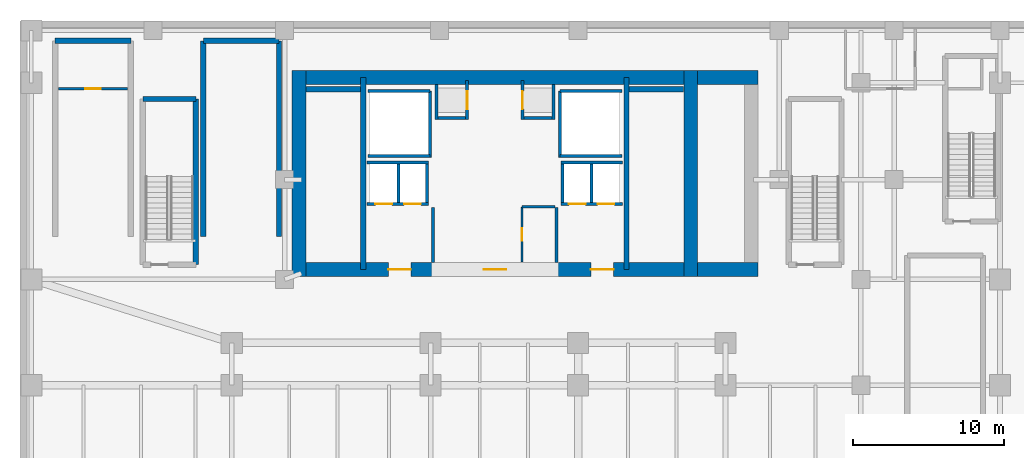
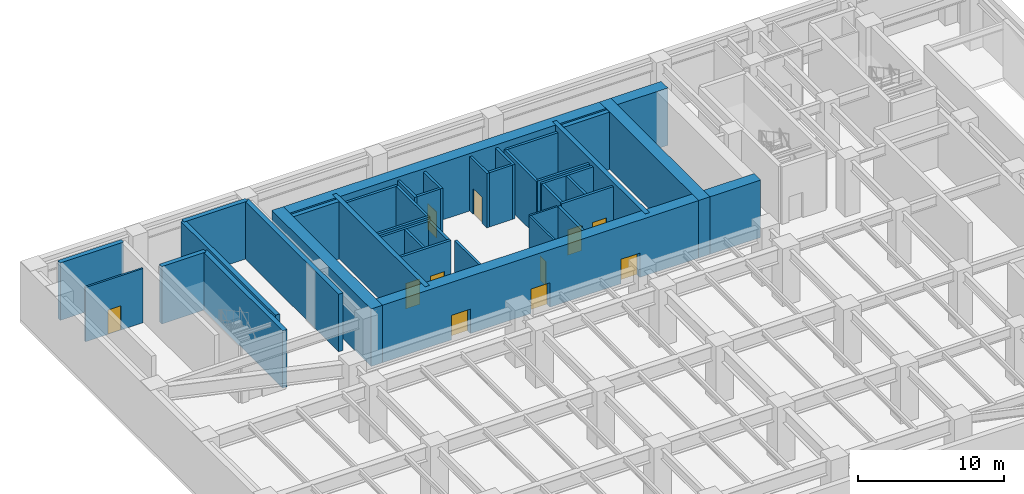
# One storey, part 4 of 9: 41 walls, 11 doors, 11 openings.
"""IFC4 building model written with IfcOpenShell, lengths in metres."""

from ifc_helpers import new_model, si_unit, direction, frame, frame_2d, origin, place, context, subcontext, project, spatial, rectangle, extrude, source, transform, mapped, material, layer, layer_set, type_object, type_shapes, element, fill, save


model = new_model("IFC4")

# Units and contexts
model_context = context("Model", 3, precision=1e-05, world=origin(), true_north=direction((0.0, 1.0)))
body_context = subcontext(model_context, "Body", "Model", "MODEL_VIEW")
ifc_project = project(units=[si_unit("LENGTHUNIT", "METRE"), si_unit("AREAUNIT", "SQUARE_METRE"), si_unit("VOLUMEUNIT", "CUBIC_METRE"), si_unit("PLANEANGLEUNIT", "RADIAN"), si_unit("MASSUNIT", "GRAM", prefix="KILO")], contexts=[model_context])

# Site, building, storey
site_placement = place(None, origin())
site = spatial("IfcSite", under=ifc_project, at=site_placement, CompositionType="ELEMENT")
building_placement = place(site_placement, origin())
building = spatial("IfcBuilding", under=site, at=building_placement, Name="Tolvann Quenvar Hotel", CompositionType="ELEMENT")
storey_placement = place(building_placement, frame((0.0, 0.0, -4.800048828125)))
storey = spatial("IfcBuildingStorey", under=building, at=storey_placement, Name="B01", CompositionType="ELEMENT", Elevation=-4.800048828125)

# Wall, openings, doors
ifc_material_1 = material(Name="Concrete S80 (80 MPa)", Category="concrete")
ifc_layer_1 = layer(ifc_material_1, 0.89990234375)
ifc_layer_set_1 = layer_set([ifc_layer_1], Name="Concrete S80 (80 MPa)")
wall_type_1 = type_object("IfcWallType", Name="WALL_CORE_900", PredefinedType="SHEAR", material=ifc_layer_set_1)
wall_1_placement = place(storey_placement, frame((9.60009765625, 32.050048828125, 0.0), z_axis=(0.0, 0.0, 1.0), x_axis=(1.0, 0.0, 0.0)))
wall_1 = element("IfcWall", 1, at=wall_1_placement, inside=storey, type_object=wall_type_1, Name="Rear Core S Shear Wall (B01)", PredefinedType="SHEAR", context=body_context, shape_type="SweptSolid", body=[
    extrude(rectangle(XDim=26.7998046875, YDim=0.89990234375, at=frame_2d((13.39990234375, 0.0))), origin(), (0.0, 0.0, 1.0), 4.800048828125),
])
opening_1_placement = place(wall_1_placement, frame((7.85009765625, 0.0, 0.0), z_axis=(0.0, 0.0, 1.0), x_axis=(-1.0, 0.0, 0.0)))
opening_1 = element("IfcOpeningElement", 2, at=opening_1_placement, cuts=wall_1, Name="Opening FD-60D", PredefinedType="OPENING", context=body_context, shape_type="SweptSolid", body=[
    extrude(rectangle(XDim=1.5, YDim=2.0400390625, at=frame_2d((0.75, 1.02001953125))), frame((0.0, 0.4599609375, 0.0), z_axis=(0.0, -1.0, 0.0), x_axis=(1.0, 0.0, 0.0)), (0.0, 0.0, 1.0), 0.919921875),
])
opening_2_placement = place(wall_1_placement, frame((14.14990234375, 0.0, 0.0), z_axis=(0.0, 0.0, 1.0), x_axis=(-1.0, 0.0, 0.0)))
opening_2 = element("IfcOpeningElement", 3, at=opening_2_placement, cuts=wall_1, Name="Opening FD-60D", PredefinedType="OPENING", context=body_context, shape_type="SweptSolid", body=[
    extrude(rectangle(XDim=1.5, YDim=2.0400390625, at=frame_2d((0.75, 1.02001953125))), frame((0.0, 0.4599609375, 0.0), z_axis=(0.0, -1.0, 0.0), x_axis=(1.0, 0.0, 0.0)), (0.0, 0.0, 1.0), 0.919921875),
])
opening_3_placement = place(wall_1_placement, frame((21.25, 0.0, 0.0), z_axis=(0.0, 0.0, 1.0), x_axis=(-1.0, 0.0, 0.0)))
opening_3 = element("IfcOpeningElement", 4, at=opening_3_placement, cuts=wall_1, Name="Opening FD-60D", PredefinedType="OPENING", context=body_context, shape_type="SweptSolid", body=[
    extrude(rectangle(XDim=1.5, YDim=2.0400390625, at=frame_2d((0.75, 1.02001953125))), frame((0.0, 0.4599609375, 0.0), z_axis=(0.0, -1.0, 0.0), x_axis=(1.0, 0.0, 0.0)), (0.0, 0.0, 1.0), 0.919921875),
])
ifc_material_2 = material(Name="Solid-core American oak acoustic fire door leaf in steel frame", Category="steel")
door_type_1 = type_object("IfcDoorType", Name="DOOR_FIRE_LOBBY_1500", OperationType="NOTDEFINED", PredefinedType="DOOR", material=ifc_material_2)
shared_shape_1 = source(origin(), body_context, "Body", "SweptSolid", [
    extrude(rectangle(XDim=1.5, YDim=2.0400390625, at=frame_2d((0.75, 1.02001953125))), frame((0.0, 0.02490234375, 0.0), z_axis=(0.0, -1.0, 0.0), x_axis=(1.0, 0.0, 0.0)), (0.0, 0.0, 1.0), 0.050048828125),
])
type_shapes(door_type_1, [shared_shape_1])
door_1_placement = place(opening_1_placement, origin())
door_1 = element("IfcDoor", 5, at=door_1_placement, inside=storey, type_object=door_type_1, Name="Core Lobby Fire Door FFW (B01)", OperationType="DOUBLE_DOOR_SINGLE_SWING", OverallHeight=2.0400390625, OverallWidth=1.5, PredefinedType="DOOR", context=body_context, shape_type="MappedRepresentation", body=[
    mapped(shared_shape_1, transform((0.0, 0.0, 0.0), x_axis=(1.0, 0.0, 0.0), y_axis=(0.0, 1.0, 0.0), z_axis=(0.0, 0.0, 1.0), scale=1.0)),
])
fill(opening_1, door_1)
door_2_placement = place(opening_2_placement, origin())
door_2 = element("IfcDoor", 6, at=door_2_placement, inside=storey, type_object=door_type_1, Name="Core Lobby Fire Door CLOB (B01)", OperationType="DOUBLE_DOOR_SINGLE_SWING", OverallHeight=2.0400390625, OverallWidth=1.5, PredefinedType="DOOR", context=body_context, shape_type="MappedRepresentation", body=[
    mapped(shared_shape_1, transform((0.0, 0.0, 0.0), x_axis=(1.0, 0.0, 0.0), y_axis=(0.0, 1.0, 0.0), z_axis=(0.0, 0.0, 1.0), scale=1.0)),
])
fill(opening_2, door_2)
door_3_placement = place(opening_3_placement, origin())
door_3 = element("IfcDoor", 7, at=door_3_placement, inside=storey, type_object=door_type_1, Name="Core Lobby Fire Door FFE (B01)", OperationType="DOUBLE_DOOR_SINGLE_SWING", OverallHeight=2.0400390625, OverallWidth=1.5, PredefinedType="DOOR", context=body_context, shape_type="MappedRepresentation", body=[
    mapped(shared_shape_1, transform((0.0, 0.0, 0.0), x_axis=(1.0, 0.0, 0.0), y_axis=(0.0, 1.0, 0.0), z_axis=(0.0, 0.0, 1.0), scale=1.0)),
])
fill(opening_3, door_3)

# Walls
wall_2_placement = place(storey_placement, frame((9.60009765625, 44.75, 0.0), z_axis=(0.0, 0.0, 1.0), x_axis=(1.0, 0.0, 0.0)))
element("IfcWall", 8, at=wall_2_placement, inside=storey, type_object=wall_type_1, Name="Rear Core N Shear Wall (B01)", PredefinedType="SHEAR", context=body_context, shape_type="SweptSolid", body=[
    extrude(rectangle(XDim=26.7998046875, YDim=0.89990234375, at=frame_2d((13.39990234375, 0.0))), origin(), (0.0, 0.0, 1.0), 4.800048828125),
])
for number, where, z_axis, x_axis, name in (
    (9, (10.050048828125, 31.60009765625, 0.0), (0.0, 0.0, 1.0), (0.0, 1.0, 0.0), "Rear Core W Shear Wall (B01)"),
    (10, (35.949951171875, 31.60009765625, 0.0), (0.0, 0.0, 1.0), (0.0, 1.0, 0.0), "Rear Core E Shear Wall (B01)"),
):
    element("IfcWall", number, at=place(storey_placement, frame(where, z_axis=z_axis, x_axis=x_axis)), inside=storey, type_object=wall_type_1, Name=name, PredefinedType="SHEAR", context=body_context, shape_type="SweptSolid", body=[
        extrude(rectangle(XDim=13.599853515625, YDim=0.89990234375, at=frame_2d((6.7998046875, 0.0))), origin(), (0.0, 0.0, 1.0), 4.800048828125),
    ])
for number, where, z_axis, x_axis, name in (
    (11, (36.39990234375, 32.050048828125, 0.0), (0.0, 0.0, 1.0), (1.0, 0.0, 0.0), "Core East Annex Shear Wall ANN-S (B01)"),
    (12, (36.39990234375, 44.75, 0.0), (0.0, 0.0, 1.0), (1.0, 0.0, 0.0), "Core East Annex Shear Wall ANN-N (B01)"),
):
    element("IfcWall", number, at=place(storey_placement, frame(where, z_axis=z_axis, x_axis=x_axis)), inside=storey, type_object=wall_type_1, Name=name, PredefinedType="SHEAR", context=body_context, shape_type="SweptSolid", body=[
        extrude(rectangle(XDim=4.0, YDim=0.89990234375, at=frame_2d((2.0, 0.0))), origin(), (0.0, 0.0, 1.0), 4.800048828125),
    ])
ifc_material_3 = material(Name="Concrete S65 (65 MPa)", Category="concrete")
ifc_layer_2 = layer(ifc_material_3, 0.35009765625)
ifc_layer_set_2 = layer_set([ifc_layer_2], Name="Concrete S65 (65 MPa)")
wall_type_2 = type_object("IfcWallType", Name="WALL_CORE_INT_350", PredefinedType="SHEAR", material=ifc_layer_set_2)
for number, where, z_axis, x_axis, name in (
    (13, (14.300048828125, 32.050048828125, 0.0), (0.0, 0.0, 1.0), (0.0, 1.0, 0.0), "Core Internal Web Shear Wall WEB-W (B01)"),
    (14, (31.699951171875, 32.050048828125, 0.0), (0.0, 0.0, 1.0), (0.0, 1.0, 0.0), "Core Internal Web Shear Wall WEB-E (B01)"),
):
    element("IfcWall", number, at=place(storey_placement, frame(where, z_axis=z_axis, x_axis=x_axis)), inside=storey, type_object=wall_type_2, Name=name, PredefinedType="SHEAR", context=body_context, shape_type="SweptSolid", body=[
        extrude(rectangle(XDim=12.699951171875, YDim=0.35009765625, at=frame_2d((6.35009765625, 0.0))), origin(), (0.0, 0.0, 1.0), 4.800048828125),
    ])
for number, where, z_axis, x_axis, name in (
    (15, (10.52001953125, 43.97509765625, 0.0), (0.0, 0.0, 1.0), (1.0, 0.0, 0.0), "Core Stair North Closing Shear Wall STC1-N (B01)"),
    (16, (31.8798828125, 43.97509765625, 0.0), (0.0, 0.0, 1.0), (1.0, 0.0, 0.0), "Core Stair North Closing Shear Wall STC2-N (B01)"),
):
    element("IfcWall", number, at=place(storey_placement, frame(where, z_axis=z_axis, x_axis=x_axis)), inside=storey, type_object=wall_type_2, Name=name, PredefinedType="SHEAR", context=body_context, shape_type="SweptSolid", body=[
        extrude(rectangle(XDim=3.60009765625, YDim=0.35009765625, at=frame_2d((1.800048828125, 0.0))), origin(), (0.0, 0.0, 1.0), 4.800048828125),
    ])
wall_3_placement = place(storey_placement, frame((3.22509765625, 32.375, 0.0), z_axis=(0.0, 0.0, 1.0), x_axis=(0.0, 1.0, 0.0)))
element("IfcWall", 17, at=wall_3_placement, inside=storey, type_object=wall_type_2, Name="Stairwell ST-B1 Structural Shaft Wall E (B01)", PredefinedType="SHEAR", context=body_context, shape_type="SweptSolid", body=[
    extrude(rectangle(XDim=10.949951171875, YDim=0.35009765625, at=frame_2d((5.47509765625, 0.0))), origin(), (0.0, 0.0, 1.0), 4.800048828125),
])
wall_4_placement = place(storey_placement, frame((3.22509765625, 43.324951171875, 0.0), z_axis=(0.0, 0.0, 1.0), x_axis=(-1.0, 0.0, 0.0)))
element("IfcWall", 18, at=wall_4_placement, inside=storey, type_object=wall_type_2, Name="Stairwell ST-B1 Structural Shaft Wall N (B01)", PredefinedType="SHEAR", context=body_context, shape_type="SweptSolid", body=[
    extrude(rectangle(XDim=3.5, YDim=0.35009765625, at=frame_2d((1.75, 0.0))), origin(), (0.0, 0.0, 1.0), 4.800048828125),
])
wall_5_placement = place(storey_placement, frame((-1.074951171875, 47.175048828125, 0.0), z_axis=(0.0, 0.0, 1.0), x_axis=(-1.0, 0.0, 0.0)))
element("IfcWall", 19, at=wall_5_placement, inside=storey, type_object=wall_type_2, Name="Stairwell ST-P1 Structural Shaft Wall N (B01)", PredefinedType="SHEAR", context=body_context, shape_type="SweptSolid", body=[
    extrude(rectangle(XDim=5.0, YDim=0.35009765625, at=frame_2d((2.5, 0.0))), origin(), (0.0, 0.0, 1.0), 4.800048828125),
])
wall_6_placement = place(storey_placement, frame((8.72509765625, 34.22509765625, 0.0), z_axis=(0.0, 0.0, 1.0), x_axis=(0.0, 1.0, 0.0)))
element("IfcWall", 20, at=wall_6_placement, inside=storey, type_object=wall_type_2, Name="Stairwell ST-P2 Structural Shaft Wall E (B01)", PredefinedType="SHEAR", context=body_context, shape_type="SweptSolid", body=[
    extrude(rectangle(XDim=12.949951171875, YDim=0.35009765625, at=frame_2d((6.47509765625, 0.0))), origin(), (0.0, 0.0, 1.0), 4.800048828125),
])
wall_7_placement = place(storey_placement, frame((8.72509765625, 47.175048828125, 0.0), z_axis=(0.0, 0.0, 1.0), x_axis=(-1.0, 0.0, 0.0)))
element("IfcWall", 21, at=wall_7_placement, inside=storey, type_object=wall_type_2, Name="Stairwell ST-P2 Structural Shaft Wall N (B01)", PredefinedType="SHEAR", context=body_context, shape_type="SweptSolid", body=[
    extrude(rectangle(XDim=5.0, YDim=0.35009765625, at=frame_2d((2.5, 0.0))), origin(), (0.0, 0.0, 1.0), 4.800048828125),
])
wall_8_placement = place(storey_placement, frame((3.72509765625, 47.175048828125, 0.0), z_axis=(0.0, 0.0, 1.0), x_axis=(0.0, -1.0, 0.0)))
element("IfcWall", 22, at=wall_8_placement, inside=storey, type_object=wall_type_2, Name="Stairwell ST-P2 Structural Shaft Wall W (B01)", PredefinedType="SHEAR", context=body_context, shape_type="SweptSolid", body=[
    extrude(rectangle(XDim=12.949951171875, YDim=0.35009765625, at=frame_2d((6.47509765625, 0.0))), origin(), (0.0, 0.0, 1.0), 4.800048828125),
])
ifc_material_4 = material(Name="Acoustic twin-stud fire-rated gypsum plasterboard partition")
ifc_layer_3 = layer(ifc_material_4, 0.14990234375)
ifc_layer_set_3 = layer_set([ifc_layer_3], Name="Acoustic twin-stud fire-rated gypsum plasterboard partition")
wall_type_3 = type_object("IfcWallType", Name="WALL_PART_SUITE_150", PredefinedType="PARTITIONING", material=ifc_layer_set_3)
wall_9_placement = place(storey_placement, frame((24.800048828125, 36.199951171875, 0.0), z_axis=(0.0, 0.0, 1.0), x_axis=(1.0, 0.0, 0.0)))
element("IfcWall", 23, at=wall_9_placement, inside=storey, type_object=wall_type_3, Name="Interior Partition PT-SPC-B01-CSE-1-N", PredefinedType="PARTITIONING", context=body_context, shape_type="SweptSolid", body=[
    extrude(rectangle(XDim=2.179931640625, YDim=0.14990234375, at=frame_2d((1.08984375, 0.0))), origin(), (0.0, 0.0, 1.0), 4.5400390625),
])

# Wall, opening, door
wall_10_placement = place(storey_placement, frame((24.800048828125, 32.554931640625, 0.0), z_axis=(0.0, 0.0, 1.0), x_axis=(0.0, 1.0, 0.0)))
wall_10 = element("IfcWall", 24, at=wall_10_placement, inside=storey, type_object=wall_type_3, Name="Interior Partition PT-SPC-B01-CSE-1-W", PredefinedType="PARTITIONING", context=body_context, shape_type="SweptSolid", body=[
    extrude(rectangle(XDim=3.64501953125, YDim=0.14990234375, at=frame_2d((1.822509765625, 0.0))), origin(), (0.0, 0.0, 1.0), 4.5400390625),
])
opening_4_placement = place(wall_10_placement, frame((1.41259765625, 0.0, 0.0)))
opening_4 = element("IfcOpeningElement", 25, at=opening_4_placement, cuts=wall_10, Name="Opening HD-02", PredefinedType="OPENING", context=body_context, shape_type="SweptSolid", body=[
    extrude(rectangle(XDim=0.820068359375, YDim=2.010009765625, at=frame_2d((0.41015625, 1.0048828125))), frame((0.0, 0.0849609375, 0.0), z_axis=(0.0, -1.0, 0.0), x_axis=(1.0, 0.0, 0.0)), (0.0, 0.0, 1.0), 0.169921875),
])
ifc_material_5 = material(Name="Pressed galvanised steel fire-rated door set", Category="steel")
door_type_2 = type_object("IfcDoorType", Name="DOOR_STORE_820", OperationType="NOTDEFINED", PredefinedType="DOOR", material=ifc_material_5)
shared_shape_2 = source(origin(), body_context, "Body", "SweptSolid", [
    extrude(rectangle(XDim=0.820068359375, YDim=2.010009765625, at=frame_2d((0.41015625, 1.0048828125))), frame((0.0, 0.02490234375, 0.0), z_axis=(0.0, -1.0, 0.0), x_axis=(1.0, 0.0, 0.0)), (0.0, 0.0, 1.0), 0.050048828125),
])
type_shapes(door_type_2, [shared_shape_2])
door_4_placement = place(opening_4_placement, origin())
door_4 = element("IfcDoor", 26, at=door_4_placement, inside=storey, type_object=door_type_2, Name="Interior Door DOOR-SPC-B01-CSE-1", OperationType="SINGLE_SWING_LEFT", OverallHeight=2.010009765625, OverallWidth=0.820068359375, PredefinedType="DOOR", context=body_context, shape_type="MappedRepresentation", body=[
    mapped(shared_shape_2, transform((0.0, 0.0, 0.0), x_axis=(1.0, 0.0, 0.0), y_axis=(0.0, 1.0, 0.0), z_axis=(0.0, 0.0, 1.0), scale=1.0)),
])
fill(opening_4, door_4)

wall_11_placement = place(storey_placement, frame((-5.844970703125, 44.0, 0.0), z_axis=(0.0, 0.0, 1.0), x_axis=(1.0, 0.0, 0.0)))
wall_11 = element("IfcWall", 27, at=wall_11_placement, inside=storey, type_object=wall_type_3, Name="Interior Partition PT-SPC-B01-LAUN-S", PredefinedType="PARTITIONING", context=body_context, shape_type="SweptSolid", body=[
    extrude(rectangle(XDim=4.5400390625, YDim=0.14990234375, at=frame_2d((2.27001953125, 0.0))), origin(), (0.0, 0.0, 1.0), 4.5400390625),
])
opening_5_placement = place(wall_11_placement, frame((1.760009765625, 0.0, 0.0)))
opening_5 = element("IfcOpeningElement", 28, at=opening_5_placement, cuts=wall_11, Name="Opening HD-01", PredefinedType="OPENING", context=body_context, shape_type="SweptSolid", body=[
    extrude(rectangle(XDim=1.02001953125, YDim=2.030029296875, at=frame_2d((0.510009765625, 1.01513671875))), frame((0.0, 0.0849609375, 0.0), z_axis=(0.0, -1.0, 0.0), x_axis=(1.0, 0.0, 0.0)), (0.0, 0.0, 1.0), 0.169921875),
])
door_type_3 = type_object("IfcDoorType", Name="DOOR_BOH_1020", OperationType="NOTDEFINED", PredefinedType="DOOR", material=ifc_material_5)
shared_shape_3 = source(origin(), body_context, "Body", "SweptSolid", [
    extrude(rectangle(XDim=1.02001953125, YDim=2.030029296875, at=frame_2d((0.510009765625, 1.01513671875))), frame((0.0, 0.02490234375, 0.0), z_axis=(0.0, -1.0, 0.0), x_axis=(1.0, 0.0, 0.0)), (0.0, 0.0, 1.0), 0.050048828125),
])
type_shapes(door_type_3, [shared_shape_3])
door_5_placement = place(opening_5_placement, origin())
door_5 = element("IfcDoor", 29, at=door_5_placement, inside=storey, type_object=door_type_3, Name="Interior Door DOOR-SPC-B01-LAUN", OperationType="SINGLE_SWING_RIGHT", OverallHeight=2.030029296875, OverallWidth=1.02001953125, PredefinedType="DOOR", context=body_context, shape_type="MappedRepresentation", body=[
    mapped(shared_shape_3, transform((0.0, 0.0, 0.0), x_axis=(1.0, 0.0, 0.0), y_axis=(0.0, 1.0, 0.0), z_axis=(0.0, 0.0, 1.0), scale=1.0)),
])
fill(opening_5, door_5)

# Walls
ifc_material_6 = material(Name="Concrete N40 (40 MPa)", Category="concrete")
ifc_layer_4 = layer(ifc_material_6, 0.199951171875)
ifc_layer_set_4 = layer_set([ifc_layer_4], Name="Concrete N40 (40 MPa)")
wall_type_4 = type_object("IfcWallType", Name="WALL_SHAFT_200", PredefinedType="SOLIDWALL", material=ifc_layer_set_4)
wall_12_placement = place(storey_placement, frame((18.699951171875, 39.449951171875, 0.0), z_axis=(0.0, 0.0, 1.0), x_axis=(0.0, 1.0, 0.0)))
element("IfcWall", 30, at=wall_12_placement, inside=storey, type_object=wall_type_4, Name="Service Riser W Shaft Wall IN (B01)", PredefinedType="SOLIDWALL", context=body_context, shape_type="SweptSolid", body=[
    extrude(rectangle(XDim=4.400146484375, YDim=0.199951171875, at=frame_2d((2.2001953125, 0.0))), origin(), (0.0, 0.0, 1.0), 4.5400390625),
])
for number, where, z_axis, x_axis, name in (
    (31, (14.60009765625, 39.550048828125, 0.0), (0.0, 0.0, 1.0), (1.0, 0.0, 0.0), "Service Riser W Shaft Wall S (B01)"),
    (32, (14.60009765625, 43.85009765625, 0.0), (0.0, 0.0, 1.0), (1.0, 0.0, 0.0), "Service Riser W Shaft Wall N (B01)"),
):
    element("IfcWall", number, at=place(storey_placement, frame(where, z_axis=z_axis, x_axis=x_axis)), inside=storey, type_object=wall_type_4, Name=name, PredefinedType="SOLIDWALL", context=body_context, shape_type="SweptSolid", body=[
        extrude(rectangle(XDim=4.099853515625, YDim=0.199951171875, at=frame_2d((2.0498046875, 0.0))), origin(), (0.0, 0.0, 1.0), 4.5400390625),
    ])
wall_13_placement = place(storey_placement, frame((27.300048828125, 39.449951171875, 0.0), z_axis=(0.0, 0.0, 1.0), x_axis=(0.0, 1.0, 0.0)))
element("IfcWall", 33, at=wall_13_placement, inside=storey, type_object=wall_type_4, Name="Service Riser E Shaft Wall IN (B01)", PredefinedType="SOLIDWALL", context=body_context, shape_type="SweptSolid", body=[
    extrude(rectangle(XDim=4.400146484375, YDim=0.199951171875, at=frame_2d((2.2001953125, 0.0))), origin(), (0.0, 0.0, 1.0), 4.5400390625),
])
for number, where, z_axis, x_axis, name in (
    (34, (27.300048828125, 39.550048828125, 0.0), (0.0, 0.0, 1.0), (1.0, 0.0, 0.0), "Service Riser E Shaft Wall S (B01)"),
    (35, (27.300048828125, 43.85009765625, 0.0), (0.0, 0.0, 1.0), (1.0, 0.0, 0.0), "Service Riser E Shaft Wall N (B01)"),
):
    element("IfcWall", number, at=place(storey_placement, frame(where, z_axis=z_axis, x_axis=x_axis)), inside=storey, type_object=wall_type_4, Name=name, PredefinedType="SOLIDWALL", context=body_context, shape_type="SweptSolid", body=[
        extrude(rectangle(XDim=4.099853515625, YDim=0.199951171875, at=frame_2d((2.0498046875, 0.0))), origin(), (0.0, 0.0, 1.0), 4.5400390625),
    ])
for number, where, z_axis, x_axis, name in (
    (36, (18.919921875, 32.50390625, 0.0), (0.0, 0.0, 1.0), (0.0, 1.0, 0.0), "Firefighting Lobby W Inner Fire Wall (B01)"),
    (37, (27.080078125, 32.50390625, 0.0), (0.0, 0.0, 1.0), (0.0, 1.0, 0.0), "Firefighting Lobby E Inner Fire Wall (B01)"),
):
    element("IfcWall", number, at=place(storey_placement, frame(where, z_axis=z_axis, x_axis=x_axis)), inside=storey, type_object=wall_type_4, Name=name, PredefinedType="SOLIDWALL", context=body_context, shape_type="SweptSolid", body=[
        extrude(rectangle(XDim=3.64599609375, YDim=0.199951171875, at=frame_2d((1.822998046875, 0.0))), origin(), (0.0, 0.0, 1.0), 4.5400390625),
    ])

# Wall, opening, door
wall_14_placement = place(storey_placement, frame((21.169921875, 41.9599609375, 0.0), z_axis=(0.0, 0.0, 1.0), x_axis=(0.0, 1.0, 0.0)))
wall_14 = element("IfcWall", 38, at=wall_14_placement, inside=storey, type_object=wall_type_4, Name="Lift Bank E21.1C1 Hoistway Front Wall (B01)", PredefinedType="SOLIDWALL", context=body_context, shape_type="SweptSolid", body=[
    extrude(rectangle(XDim=2.580078125, YDim=0.199951171875, at=frame_2d((1.2900390625, 0.0))), origin(), (0.0, 0.0, 1.0), 4.5400390625),
])
opening_6_placement = place(wall_14_placement, frame((0.68994140625, 0.0, 0.0)))
opening_6 = element("IfcOpeningElement", 39, at=opening_6_placement, cuts=wall_14, Name="Opening LD-02", PredefinedType="OPENING", context=body_context, shape_type="SweptSolid", body=[
    extrude(rectangle(XDim=1.199951171875, YDim=2.14990234375, at=frame_2d((0.60009765625, 1.074951171875))), frame((0.0, 0.10986328125, 0.0), z_axis=(0.0, -1.0, 0.0), x_axis=(1.0, 0.0, 0.0)), (0.0, 0.0, 1.0), 0.219970703125),
])
ifc_material_7 = material(Name="Brushed 316 stainless steel automatic sliding lift landing door", Category="steel")
door_type_4 = type_object("IfcDoorType", Name="DOOR_LIFT_OBS_1200", OperationType="NOTDEFINED", PredefinedType="DOOR", material=ifc_material_7)
shared_shape_4 = source(origin(), body_context, "Body", "SweptSolid", [
    extrude(rectangle(XDim=1.199951171875, YDim=2.14990234375, at=frame_2d((0.60009765625, 1.074951171875))), frame((0.0, 0.02490234375, 0.0), z_axis=(0.0, -1.0, 0.0), x_axis=(1.0, 0.0, 0.0)), (0.0, 0.0, 1.0), 0.050048828125),
])
type_shapes(door_type_4, [shared_shape_4])
door_6_placement = place(opening_6_placement, origin())
door_6 = element("IfcDoor", 40, at=door_6_placement, inside=storey, type_object=door_type_4, Name="Lift OB-1 Sliding Landing Door (B01)", OperationType="SLIDING_TO_RIGHT", OverallHeight=2.14990234375, OverallWidth=1.199951171875, PredefinedType="DOOR", context=body_context, shape_type="MappedRepresentation", body=[
    mapped(shared_shape_4, transform((0.0, 0.0, 0.0), x_axis=(1.0, 0.0, 0.0), y_axis=(0.0, 1.0, 0.0), z_axis=(0.0, 0.0, 1.0), scale=1.0)),
])
fill(opening_6, door_6)

# Walls
wall_15_placement = place(storey_placement, frame((19.1298828125, 41.9599609375, 0.0), z_axis=(0.0, 0.0, 1.0), x_axis=(0.0, 1.0, 0.0)))
element("IfcWall", 41, at=wall_15_placement, inside=storey, type_object=wall_type_4, Name="Lift Bank E21.1C1 Hoistway Rear Wall (B01)", PredefinedType="SOLIDWALL", context=body_context, shape_type="SweptSolid", body=[
    extrude(rectangle(XDim=2.3359375, YDim=0.199951171875, at=frame_2d((1.16796875, 0.0))), origin(), (0.0, 0.0, 1.0), 4.5400390625),
])
wall_16_placement = place(storey_placement, frame((19.22998046875, 42.06005859375, 0.0), z_axis=(0.0, 0.0, 1.0), x_axis=(1.0, 0.0, 0.0)))
element("IfcWall", 42, at=wall_16_placement, inside=storey, type_object=wall_type_4, Name="Lift Bank E21.1C1 Hoistway Cheek Wall 1 (B01)", PredefinedType="SOLIDWALL", context=body_context, shape_type="SweptSolid", body=[
    extrude(rectangle(XDim=1.840087890625, YDim=0.199951171875, at=frame_2d((0.919921875, 0.0))), origin(), (0.0, 0.0, 1.0), 4.5400390625),
])

# Wall, openings, doors
wall_17_placement = place(storey_placement, frame((27.375, 36.3798828125, 0.0), z_axis=(0.0, 0.0, 1.0), x_axis=(1.0, 0.0, 0.0)))
wall_17 = element("IfcWall", 43, at=wall_17_placement, inside=storey, type_object=wall_type_4, Name="Lift Bank SEC1 Hoistway Front Wall (B01)", PredefinedType="SOLIDWALL", context=body_context, shape_type="SweptSolid", body=[
    extrude(rectangle(XDim=4.074951171875, YDim=0.199951171875, at=frame_2d((2.03759765625, 0.0))), origin(), (0.0, 0.0, 1.0), 4.5400390625),
])
opening_7_placement = place(wall_17_placement, frame((0.52490234375, 0.0, 0.0)))
opening_7 = element("IfcOpeningElement", 44, at=opening_7_placement, cuts=wall_17, Name="Opening LD-01", PredefinedType="OPENING", context=body_context, shape_type="SweptSolid", body=[
    extrude(rectangle(XDim=1.10009765625, YDim=2.1201171875, at=frame_2d((0.550048828125, 1.06005859375))), frame((0.0, 0.10986328125, 0.0), z_axis=(0.0, -1.0, 0.0), x_axis=(1.0, 0.0, 0.0)), (0.0, 0.0, 1.0), 0.219970703125),
])
opening_8_placement = place(wall_17_placement, frame((2.425048828125, 0.0, 0.0)))
opening_8 = element("IfcOpeningElement", 45, at=opening_8_placement, cuts=wall_17, Name="Opening LD-01", PredefinedType="OPENING", context=body_context, shape_type="SweptSolid", body=[
    extrude(rectangle(XDim=1.10009765625, YDim=2.1201171875, at=frame_2d((0.550048828125, 1.06005859375))), frame((0.0, 0.10986328125, 0.0), z_axis=(0.0, -1.0, 0.0), x_axis=(1.0, 0.0, 0.0)), (0.0, 0.0, 1.0), 0.219970703125),
])
door_type_5 = type_object("IfcDoorType", Name="DOOR_LIFT_SLIDE_1100", OperationType="NOTDEFINED", PredefinedType="DOOR", material=ifc_material_7)
shared_shape_5 = source(origin(), body_context, "Body", "SweptSolid", [
    extrude(rectangle(XDim=1.10009765625, YDim=2.1201171875, at=frame_2d((0.550048828125, 1.06005859375))), frame((0.0, 0.02490234375, 0.0), z_axis=(0.0, -1.0, 0.0), x_axis=(1.0, 0.0, 0.0)), (0.0, 0.0, 1.0), 0.050048828125),
])
type_shapes(door_type_5, [shared_shape_5])
door_7_placement = place(opening_7_placement, origin())
door_7 = element("IfcDoor", 46, at=door_7_placement, inside=storey, type_object=door_type_5, Name="Lift SV-2 Sliding Landing Door (B01)", OperationType="SLIDING_TO_LEFT", OverallHeight=2.1201171875, OverallWidth=1.10009765625, PredefinedType="DOOR", context=body_context, shape_type="MappedRepresentation", body=[
    mapped(shared_shape_5, transform((0.0, 0.0, 0.0), x_axis=(1.0, 0.0, 0.0), y_axis=(0.0, 1.0, 0.0), z_axis=(0.0, 0.0, 1.0), scale=1.0)),
])
fill(opening_7, door_7)
door_8_placement = place(opening_8_placement, origin())
door_8 = element("IfcDoor", 47, at=door_8_placement, inside=storey, type_object=door_type_5, Name="Lift FF-2 Sliding Landing Door (B01)", OperationType="SLIDING_TO_RIGHT", OverallHeight=2.1201171875, OverallWidth=1.10009765625, PredefinedType="DOOR", context=body_context, shape_type="MappedRepresentation", body=[
    mapped(shared_shape_5, transform((0.0, 0.0, 0.0), x_axis=(1.0, 0.0, 0.0), y_axis=(0.0, 1.0, 0.0), z_axis=(0.0, 0.0, 1.0), scale=1.0)),
])
fill(opening_8, door_8)

# Walls
wall_18_placement = place(storey_placement, frame((27.375, 39.1201171875, 0.0), z_axis=(0.0, 0.0, 1.0), x_axis=(1.0, 0.0, 0.0)))
element("IfcWall", 48, at=wall_18_placement, inside=storey, type_object=wall_type_4, Name="Lift Bank SEC1 Hoistway Rear Wall (B01)", PredefinedType="SOLIDWALL", context=body_context, shape_type="SweptSolid", body=[
    extrude(rectangle(XDim=4.074951171875, YDim=0.199951171875, at=frame_2d((2.03759765625, 0.0))), origin(), (0.0, 0.0, 1.0), 4.5400390625),
])
for number, where, z_axis, x_axis, name in (
    (49, (27.47509765625, 36.47998046875, 0.0), (0.0, 0.0, 1.0), (0.0, 1.0, 0.0), "Lift Bank SEC1 Hoistway Cheek Wall 1 (B01)"),
    (50, (29.387451171875, 36.47998046875, 0.0), (0.0, 0.0, 1.0), (0.0, 1.0, 0.0), "Lift Bank SEC1 Divider Wall 1 (B01)"),
):
    element("IfcWall", number, at=place(storey_placement, frame(where, z_axis=z_axis, x_axis=x_axis)), inside=storey, type_object=wall_type_4, Name=name, PredefinedType="SOLIDWALL", context=body_context, shape_type="SweptSolid", body=[
        extrude(rectangle(XDim=2.5400390625, YDim=0.199951171875, at=frame_2d((1.27001953125, 0.0))), origin(), (0.0, 0.0, 1.0), 4.5400390625),
    ])

# Wall, openings, doors
wall_19_placement = place(storey_placement, frame((14.550048828125, 36.3798828125, 0.0), z_axis=(0.0, 0.0, 1.0), x_axis=(1.0, 0.0, 0.0)))
wall_19 = element("IfcWall", 51, at=wall_19_placement, inside=storey, type_object=wall_type_4, Name="Lift Bank SWC1 Hoistway Front Wall (B01)", PredefinedType="SOLIDWALL", context=body_context, shape_type="SweptSolid", body=[
    extrude(rectangle(XDim=4.074951171875, YDim=0.199951171875, at=frame_2d((2.03759765625, 0.0))), origin(), (0.0, 0.0, 1.0), 4.5400390625),
])
opening_9_placement = place(wall_19_placement, frame((0.550048828125, 0.0, 0.0)))
opening_9 = element("IfcOpeningElement", 52, at=opening_9_placement, cuts=wall_19, Name="Opening LD-01", PredefinedType="OPENING", context=body_context, shape_type="SweptSolid", body=[
    extrude(rectangle(XDim=1.10009765625, YDim=2.1201171875, at=frame_2d((0.550048828125, 1.06005859375))), frame((0.0, 0.10986328125, 0.0), z_axis=(0.0, -1.0, 0.0), x_axis=(1.0, 0.0, 0.0)), (0.0, 0.0, 1.0), 0.219970703125),
])
opening_10_placement = place(wall_19_placement, frame((2.449951171875, 0.0, 0.0)))
opening_10 = element("IfcOpeningElement", 53, at=opening_10_placement, cuts=wall_19, Name="Opening LD-01", PredefinedType="OPENING", context=body_context, shape_type="SweptSolid", body=[
    extrude(rectangle(XDim=1.10009765625, YDim=2.1201171875, at=frame_2d((0.550048828125, 1.06005859375))), frame((0.0, 0.10986328125, 0.0), z_axis=(0.0, -1.0, 0.0), x_axis=(1.0, 0.0, 0.0)), (0.0, 0.0, 1.0), 0.219970703125),
])
door_9_placement = place(opening_9_placement, origin())
door_9 = element("IfcDoor", 54, at=door_9_placement, inside=storey, type_object=door_type_5, Name="Lift FF-1 Sliding Landing Door (B01)", OperationType="SLIDING_TO_LEFT", OverallHeight=2.1201171875, OverallWidth=1.10009765625, PredefinedType="DOOR", context=body_context, shape_type="MappedRepresentation", body=[
    mapped(shared_shape_5, transform((0.0, 0.0, 0.0), x_axis=(1.0, 0.0, 0.0), y_axis=(0.0, 1.0, 0.0), z_axis=(0.0, 0.0, 1.0), scale=1.0)),
])
fill(opening_9, door_9)
door_10_placement = place(opening_10_placement, origin())
door_10 = element("IfcDoor", 55, at=door_10_placement, inside=storey, type_object=door_type_5, Name="Lift SV-1 Sliding Landing Door (B01)", OperationType="SLIDING_TO_RIGHT", OverallHeight=2.1201171875, OverallWidth=1.10009765625, PredefinedType="DOOR", context=body_context, shape_type="MappedRepresentation", body=[
    mapped(shared_shape_5, transform((0.0, 0.0, 0.0), x_axis=(1.0, 0.0, 0.0), y_axis=(0.0, 1.0, 0.0), z_axis=(0.0, 0.0, 1.0), scale=1.0)),
])
fill(opening_10, door_10)

# Walls
wall_20_placement = place(storey_placement, frame((14.550048828125, 39.1201171875, 0.0), z_axis=(0.0, 0.0, 1.0), x_axis=(1.0, 0.0, 0.0)))
element("IfcWall", 56, at=wall_20_placement, inside=storey, type_object=wall_type_4, Name="Lift Bank SWC1 Hoistway Rear Wall (B01)", PredefinedType="SOLIDWALL", context=body_context, shape_type="SweptSolid", body=[
    extrude(rectangle(XDim=4.074951171875, YDim=0.199951171875, at=frame_2d((2.03759765625, 0.0))), origin(), (0.0, 0.0, 1.0), 4.5400390625),
])
for number, where, z_axis, x_axis, name in (
    (57, (18.52490234375, 36.47998046875, 0.0), (0.0, 0.0, 1.0), (0.0, 1.0, 0.0), "Lift Bank SWC1 Hoistway Cheek Wall 2 (B01)"),
    (58, (16.612548828125, 36.47998046875, 0.0), (0.0, 0.0, 1.0), (0.0, 1.0, 0.0), "Lift Bank SWC1 Divider Wall 1 (B01)"),
):
    element("IfcWall", number, at=place(storey_placement, frame(where, z_axis=z_axis, x_axis=x_axis)), inside=storey, type_object=wall_type_4, Name=name, PredefinedType="SOLIDWALL", context=body_context, shape_type="SweptSolid", body=[
        extrude(rectangle(XDim=2.5400390625, YDim=0.199951171875, at=frame_2d((1.27001953125, 0.0))), origin(), (0.0, 0.0, 1.0), 4.5400390625),
    ])

# Wall, opening, door
wall_21_placement = place(storey_placement, frame((24.830078125, 41.9599609375, 0.0), z_axis=(0.0, 0.0, 1.0), x_axis=(0.0, 1.0, 0.0)))
wall_21 = element("IfcWall", 59, at=wall_21_placement, inside=storey, type_object=wall_type_4, Name="Lift Bank W24.9C1 Hoistway Front Wall (B01)", PredefinedType="SOLIDWALL", context=body_context, shape_type="SweptSolid", body=[
    extrude(rectangle(XDim=2.580078125, YDim=0.199951171875, at=frame_2d((1.2900390625, 0.0))), origin(), (0.0, 0.0, 1.0), 4.5400390625),
])
opening_11_placement = place(wall_21_placement, frame((0.68994140625, 0.0, 0.0)))
opening_11 = element("IfcOpeningElement", 60, at=opening_11_placement, cuts=wall_21, Name="Opening LD-02", PredefinedType="OPENING", context=body_context, shape_type="SweptSolid", body=[
    extrude(rectangle(XDim=1.199951171875, YDim=2.14990234375, at=frame_2d((0.60009765625, 1.074951171875))), frame((0.0, 0.10986328125, 0.0), z_axis=(0.0, -1.0, 0.0), x_axis=(1.0, 0.0, 0.0)), (0.0, 0.0, 1.0), 0.219970703125),
])
door_11_placement = place(opening_11_placement, origin())
door_11 = element("IfcDoor", 61, at=door_11_placement, inside=storey, type_object=door_type_4, Name="Lift OB-2 Sliding Landing Door (B01)", OperationType="SLIDING_TO_LEFT", OverallHeight=2.14990234375, OverallWidth=1.199951171875, PredefinedType="DOOR", context=body_context, shape_type="MappedRepresentation", body=[
    mapped(shared_shape_4, transform((0.0, 0.0, 0.0), x_axis=(1.0, 0.0, 0.0), y_axis=(0.0, 1.0, 0.0), z_axis=(0.0, 0.0, 1.0), scale=1.0)),
])
fill(opening_11, door_11)

# Walls
wall_22_placement = place(storey_placement, frame((26.8701171875, 41.9599609375, 0.0), z_axis=(0.0, 0.0, 1.0), x_axis=(0.0, 1.0, 0.0)))
element("IfcWall", 62, at=wall_22_placement, inside=storey, type_object=wall_type_4, Name="Lift Bank W24.9C1 Hoistway Rear Wall (B01)", PredefinedType="SOLIDWALL", context=body_context, shape_type="SweptSolid", body=[
    extrude(rectangle(XDim=2.3359375, YDim=0.199951171875, at=frame_2d((1.16796875, 0.0))), origin(), (0.0, 0.0, 1.0), 4.5400390625),
])
wall_23_placement = place(storey_placement, frame((24.929931640625, 42.06005859375, 0.0), z_axis=(0.0, 0.0, 1.0), x_axis=(1.0, 0.0, 0.0)))
element("IfcWall", 63, at=wall_23_placement, inside=storey, type_object=wall_type_4, Name="Lift Bank W24.9C1 Hoistway Cheek Wall 1 (B01)", PredefinedType="SOLIDWALL", context=body_context, shape_type="SweptSolid", body=[
    extrude(rectangle(XDim=1.840087890625, YDim=0.199951171875, at=frame_2d((0.919921875, 0.0))), origin(), (0.0, 0.0, 1.0), 4.5400390625),
])

save(model, "model.ifc")
